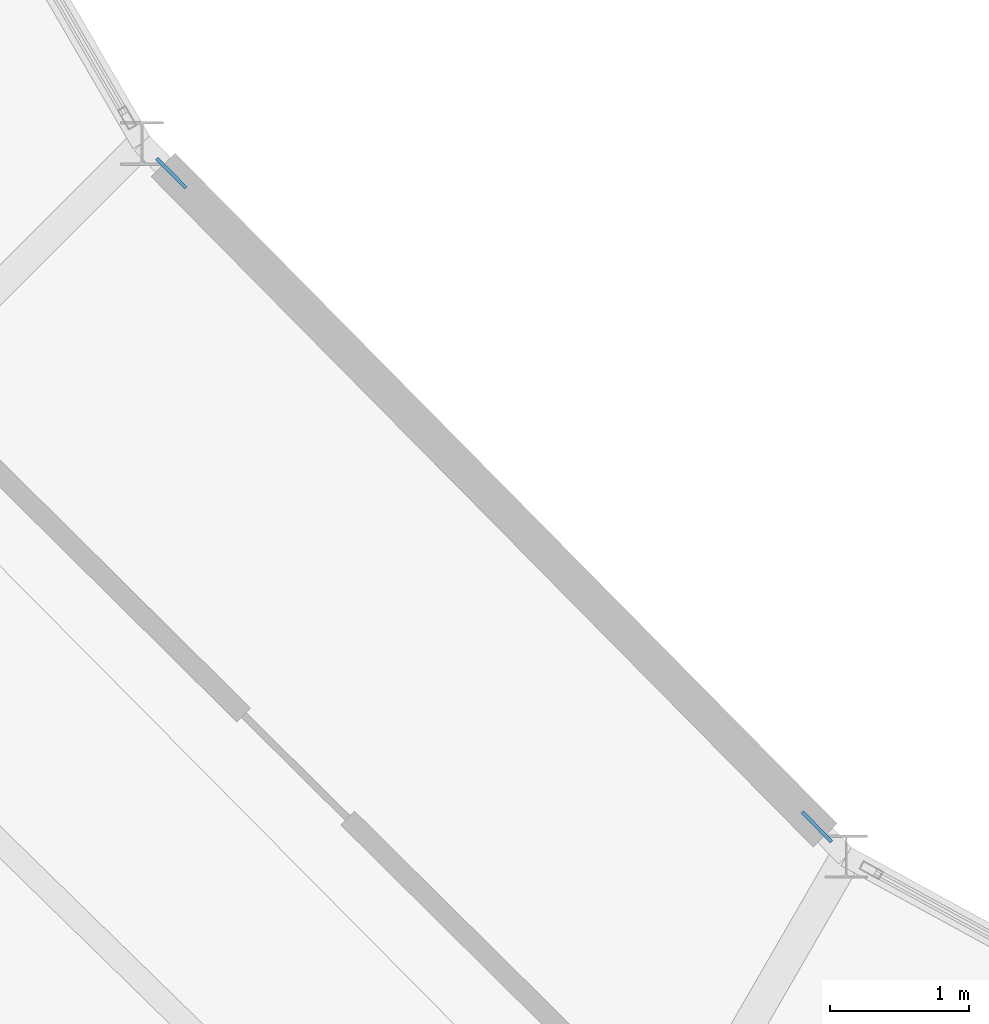
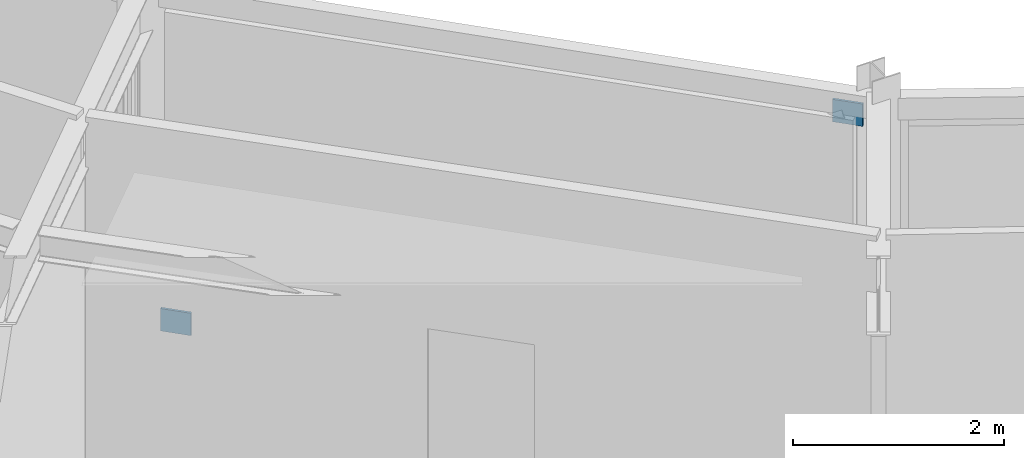
# One storey, part 110 of 147: 2 plates.
"""IFC4 building model written with IfcOpenShell, lengths in metres."""

from ifc_helpers import new_model, si_unit, direction, frame, origin, origin_2d, place, context, subcontext, project, spatial, rectangle, extrude, material, layer, layer_set, type_object, element, save


model = new_model("IFC4")

# Units and contexts
model_context = context("Model", 3, precision=1e-05, world=origin(), true_north=direction((0.0, 1.0)))
body_context = subcontext(model_context, "Body", "Model", "MODEL_VIEW")
ifc_project = project(units=[si_unit("LENGTHUNIT", "METRE"), si_unit("AREAUNIT", "SQUARE_METRE"), si_unit("VOLUMEUNIT", "CUBIC_METRE"), si_unit("PLANEANGLEUNIT", "RADIAN"), si_unit("MASSUNIT", "GRAM", prefix="KILO")], contexts=[model_context])

# Site, building, storey
site_placement = place(None, origin())
site = spatial("IfcSite", under=ifc_project, at=site_placement, CompositionType="ELEMENT")
building_placement = place(site_placement, origin())
building = spatial("IfcBuilding", under=site, at=building_placement, Name="Karori Crest Natural Sciences Institute", CompositionType="ELEMENT")
storey_placement = place(building_placement, frame((0.0, 0.0, 9.10009765625)))
storey = spatial("IfcBuildingStorey", under=building, at=storey_placement, Name="L02", CompositionType="ELEMENT", Elevation=9.10009765625)

# Plates
ifc_material = material(Name="Structural steel AS/NZS 3679.1 Grade 350", Category="steel")
ifc_layer = layer(ifc_material, 0.02490234375, Name="Structural steel AS/NZS 3679.1 Grade 350")
ifc_layer_set = layer_set([ifc_layer], Name="Structural steel AS/NZS 3679.1 Grade 350")
plate_type = type_object("IfcPlateType", Name="PLT-06", PredefinedType="SHEET", material=ifc_layer_set)
for number, where, z_axis, x_axis, name in (
    (1, (49.357421875, 26.917724609375, -0.11962890625), (0.0, 0.0, 1.0), (-0.702663630174, 0.711522187167, 0.0), "Brace gusset plate EP-0029"),
    (2, (53.9892578125, 22.2275390625, 3.5205078125), (0.0, 0.0, 1.0), (-0.702663630174, 0.711522187167, 0.0), "Brace gusset plate EP-0030"),
):
    element("IfcPlate", number, at=place(storey_placement, frame(where, z_axis=z_axis, x_axis=x_axis)), inside=storey, type_object=plate_type, Name=name, PredefinedType="SHEET", context=body_context, shape_type="SweptSolid", body=[
        extrude(rectangle(XDim=0.299072265625, YDim=0.02490234375, at=origin_2d()), origin(), (0.0, 0.0, 1.0), 0.259033203125),
    ])

save(model, "model.ifc")
